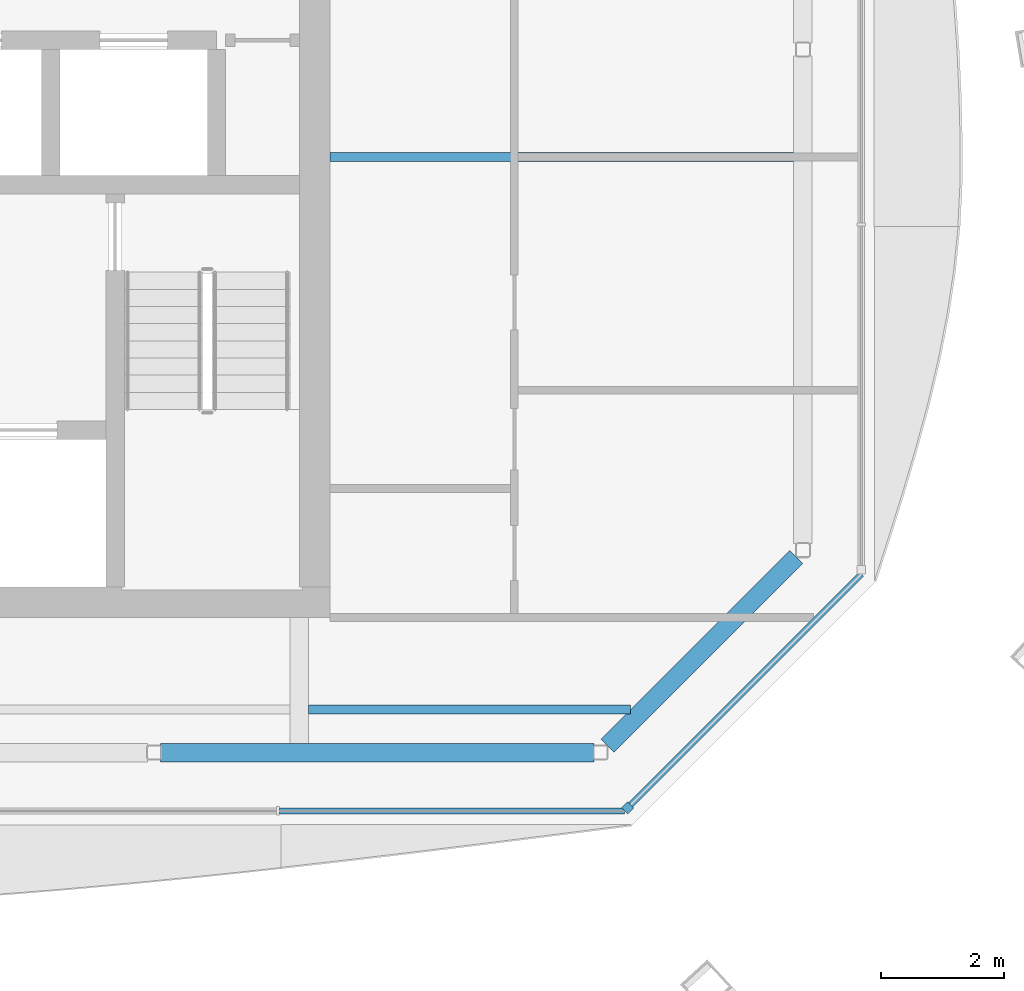
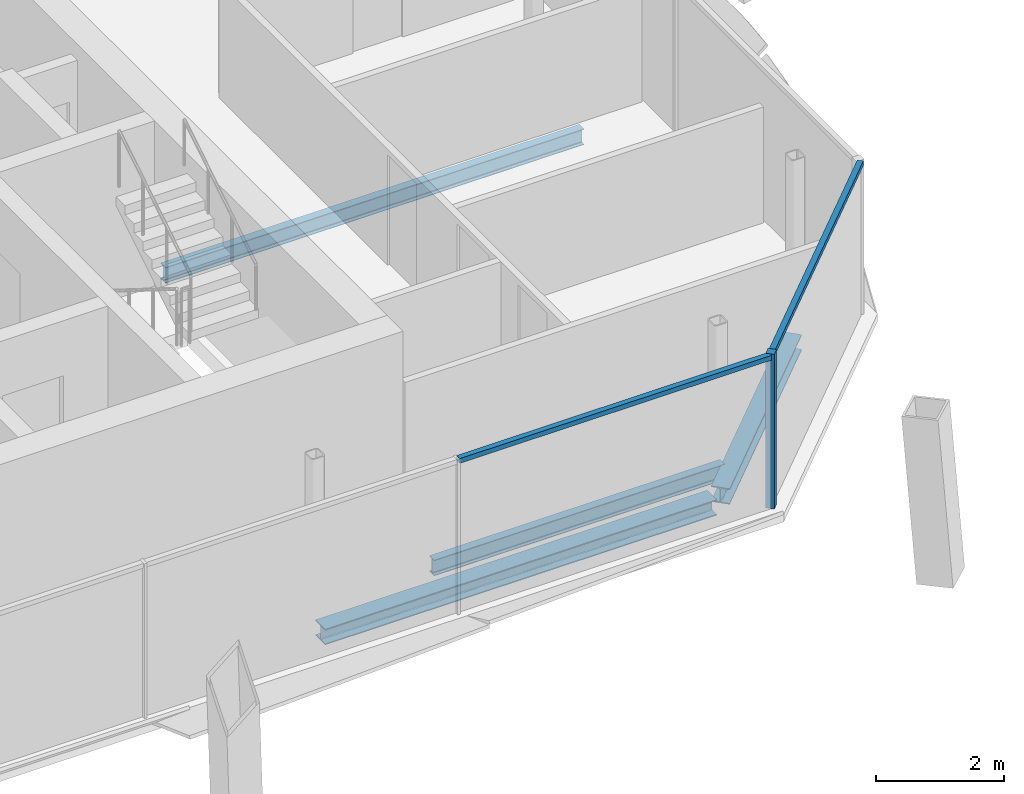
# One storey, part 4 of 13: 4 beams, 3 members, 2 elements without a shape of their own.
"""IFC4 building model written with IfcOpenShell, lengths in metres."""

from ifc_helpers import new_model, si_unit, direction, frame, origin, origin_2d, place, context, subcontext, project, spatial, rectangle, i_section, extrude, material, material_profile, profile_set, type_object, element, aggregate, save


model = new_model("IFC4")

# Units and contexts
model_context = context("Model", 3, precision=1e-05, world=origin(), true_north=direction((0.0, 1.0)))
body_context = subcontext(model_context, "Body", "Model", "MODEL_VIEW")
ifc_project = project(units=[si_unit("LENGTHUNIT", "METRE"), si_unit("AREAUNIT", "SQUARE_METRE"), si_unit("VOLUMEUNIT", "CUBIC_METRE"), si_unit("PLANEANGLEUNIT", "RADIAN"), si_unit("MASSUNIT", "GRAM", prefix="KILO")], contexts=[model_context])

# Site, building, storey
site_placement = place(None, origin())
site = spatial("IfcSite", under=ifc_project, at=site_placement, CompositionType="ELEMENT")
building_placement = place(site_placement, origin())
building = spatial("IfcBuilding", under=site, at=building_placement, Name="Tskaro Facet Tower", CompositionType="ELEMENT")
storey_placement = place(building_placement, frame((0.0, 0.0, 291.0)))
storey = spatial("IfcBuildingStorey", under=building, at=storey_placement, Name="L78", CompositionType="ELEMENT", Elevation=291.0)

# Curtain wall, member
ifc_material_1 = material(Name="Bronze anodised aluminium 6063-T6", Category="aluminium")
curtain_wall_type = type_object("IfcCurtainWallType", Name="Bronze residence curtain wall (FW3)", PredefinedType="NOTDEFINED", material=ifc_material_1)
curtain_wall_1_placement = place(storey_placement, origin())
curtain_wall_1 = element("IfcCurtainWall", 1, at=curtain_wall_1_placement, inside=storey, type_object=curtain_wall_type, Name="FW3 south-east facet L78", PredefinedType="NOTDEFINED")
ifc_material_profile_1 = material_profile(ifc_material_1, rectangle(XDim=0.139892578125, YDim=0.139892578125, at=origin_2d()), Name="Corner post 140x140")
ifc_profile_set_1 = profile_set([ifc_material_profile_1], Name="Bronze anodised aluminium 6063-T6")
member_type_1 = type_object("IfcMemberType", Name="FW3 bronze corner post 140x140", PredefinedType="MULLION", material=ifc_profile_set_1)
member_1_placement = place(storey_placement, frame((14.345458984375, -15.1005859375, 0.0), z_axis=(0.0, 0.0, 1.0), x_axis=(0.707106781187, 0.707106781187, 0.0)))
member_1 = element("IfcMember", 2, at=member_1_placement, type_object=member_type_1, Name="FW3 south-east corner post", PredefinedType="MULLION", context=body_context, shape_type="SweptSolid", body=[
    extrude(rectangle(XDim=0.139892578125, YDim=0.139892578125, at=origin_2d()), origin(), (0.0, 0.0, 1.0), 2.949951171875),
])

curtain_wall_2_placement = place(storey_placement, origin())
curtain_wall_2 = element("IfcCurtainWall", 3, at=curtain_wall_2_placement, inside=storey, type_object=curtain_wall_type, Name="FW3 south facet L78", PredefinedType="NOTDEFINED")
ifc_material_profile_2 = material_profile(ifc_material_1, rectangle(XDim=0.10009765625, YDim=0.090087890625, at=origin_2d()), Name="Transom 100x90")
ifc_profile_set_2 = profile_set([ifc_material_profile_2], Name="Bronze anodised aluminium 6063-T6")
member_type_2 = type_object("IfcMemberType", Name="FW3 bronze transom 100x90", PredefinedType="USERDEFINED", material=ifc_profile_set_2)
member_2_placement = place(storey_placement, frame((8.673095703125, -15.14990234375, 2.905029296875), z_axis=(1.0, 0.0, 0.0), x_axis=(0.0, 1.0, 0.0)))
member_2 = element("IfcMember", 4, at=member_2_placement, type_object=member_type_2, Name="FW3 south transom 4.1", ObjectType="TRANSOM", PredefinedType="USERDEFINED", context=body_context, shape_type="SweptSolid", body=[
    extrude(rectangle(XDim=0.10009765625, YDim=0.090087890625, at=origin_2d()), origin(), (0.0, 0.0, 1.0), 5.622802734375),
])
aggregate(curtain_wall_2, [member_2])

# Member
member_3_placement = place(storey_placement, frame((14.39501953125, -15.051025390625, 2.905029296875), z_axis=(0.707083793693, 0.707129767932, 0.0), x_axis=(-0.707129767932, 0.707083793693, 0.0)))
member_3 = element("IfcMember", 5, at=member_3_placement, type_object=member_type_2, Name="FW3 south-east transom 1.1", ObjectType="TRANSOM", PredefinedType="USERDEFINED", context=body_context, shape_type="SweptSolid", body=[
    extrude(rectangle(XDim=0.10009765625, YDim=0.090087890625, at=origin_2d()), origin(), (0.0, 0.0, 1.0), 5.310302734375),
])

aggregate(curtain_wall_1, [member_1, member_3])

# Beams
ifc_material_2 = material(Name="Steel S355J2", Category="steel")
ifc_material_profile_3 = material_profile(ifc_material_2, i_section(OverallWidth=0.300048828125, OverallDepth=0.300048828125, WebThickness=0.010986328125, FlangeThickness=0.01904296875, FilletRadius=0.027099609375, at=origin_2d()), Name="HE 300 B")
ifc_profile_set_3 = profile_set([ifc_material_profile_3], Name="Steel S355J2")
beam_type_1 = type_object("IfcBeamType", Name="HE 300 B ring beam", PredefinedType="BEAM", material=ifc_profile_set_3)
beam_1_placement = place(storey_placement, frame((6.739013671875, -14.199951171875, -0.2900390625), z_axis=(1.0, 0.0, 0.0), x_axis=(0.0, 1.0, 0.0)))
element("IfcBeam", 6, at=beam_1_placement, inside=storey, type_object=beam_type_1, Name="HE 300 B EB3-6", PredefinedType="BEAM", context=body_context, shape_type="SweptSolid", body=[
    extrude(i_section(OverallWidth=0.300048828125, OverallDepth=0.300048828125, WebThickness=0.010986328125, FlangeThickness=0.01904296875, FilletRadius=0.027099609375, at=origin_2d()), origin(), (0.0, 0.0, 1.0), 7.05908203125),
])
beam_2_placement = place(storey_placement, frame((14.013916015625, -14.089111328125, -0.2900390625), z_axis=(0.707106781187, 0.707106781187, 0.0), x_axis=(-0.707106781187, 0.707106781187, 0.0)))
element("IfcBeam", 7, at=beam_2_placement, inside=storey, type_object=beam_type_1, Name="HE 300 B EB4-6", PredefinedType="BEAM", context=body_context, shape_type="SweptSolid", body=[
    extrude(i_section(OverallWidth=0.300048828125, OverallDepth=0.300048828125, WebThickness=0.010986328125, FlangeThickness=0.01904296875, FilletRadius=0.027099609375, at=origin_2d()), origin(), (0.0, 0.0, 1.0), 4.348876953125),
])
ifc_material_profile_4 = material_profile(ifc_material_2, i_section(OverallWidth=0.14990234375, OverallDepth=0.300048828125, WebThickness=0.007080078125, FlangeThickness=0.0107421875, FilletRadius=0.014892578125, at=origin_2d()), Name="IPE 300")
ifc_profile_set_4 = profile_set([ifc_material_profile_4], Name="Steel S355J2")
beam_type_2 = type_object("IfcBeamType", Name="IPE 300 secondary beam", PredefinedType="BEAM", material=ifc_profile_set_4)
beam_3_placement = place(storey_placement, frame((9.14990234375, -13.5, -0.2900390625), z_axis=(1.0, 0.0, 0.0), x_axis=(0.0, 1.0, 0.0)))
element("IfcBeam", 8, at=beam_3_placement, inside=storey, type_object=beam_type_2, Name="IPE 300 SB2a-3-6", PredefinedType="BEAM", context=body_context, shape_type="SweptSolid", body=[
    extrude(i_section(OverallWidth=0.14990234375, OverallDepth=0.300048828125, WebThickness=0.007080078125, FlangeThickness=0.0107421875, FilletRadius=0.014892578125, at=origin_2d()), origin(), (0.0, 0.0, 1.0), 5.2412109375),
])
beam_4_placement = place(storey_placement, frame((9.5, -4.5, -0.2900390625), z_axis=(1.0, 0.0, 0.0), x_axis=(0.0, 1.0, 0.0)))
element("IfcBeam", 9, at=beam_4_placement, inside=storey, type_object=beam_type_2, Name="IPE 300 SB3a-2-6", PredefinedType="BEAM", context=body_context, shape_type="SweptSolid", body=[
    extrude(i_section(OverallWidth=0.14990234375, OverallDepth=0.300048828125, WebThickness=0.007080078125, FlangeThickness=0.0107421875, FilletRadius=0.014892578125, at=origin_2d()), origin(), (0.0, 0.0, 1.0), 7.550048828125),
])

save(model, "model.ifc")
